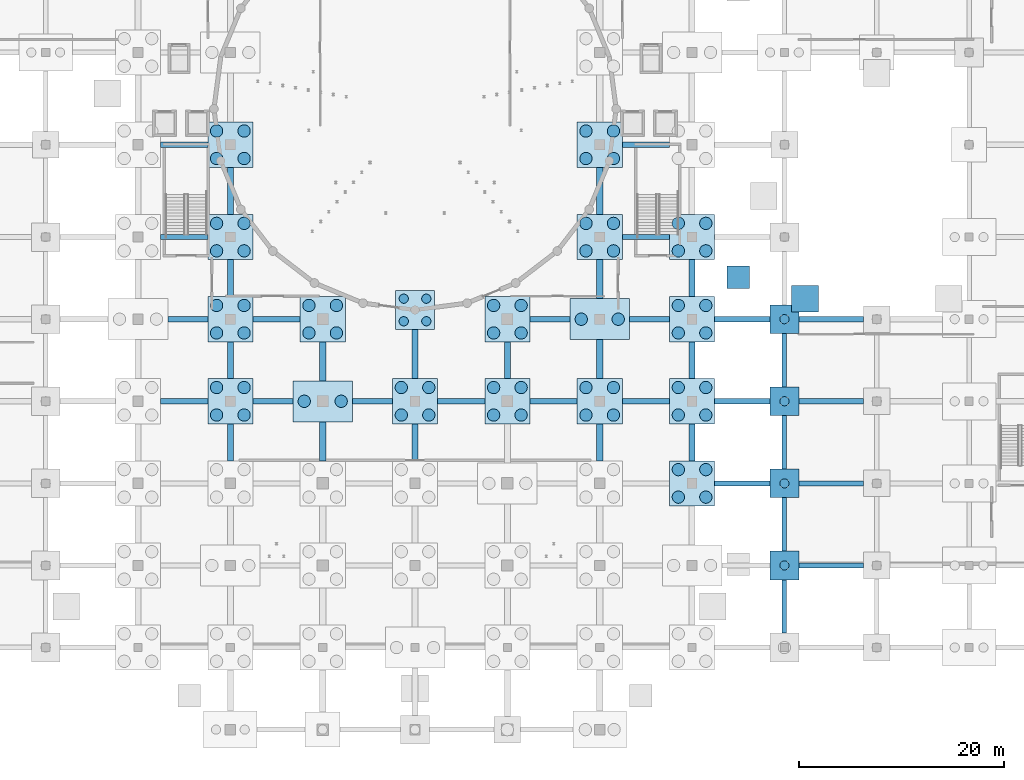
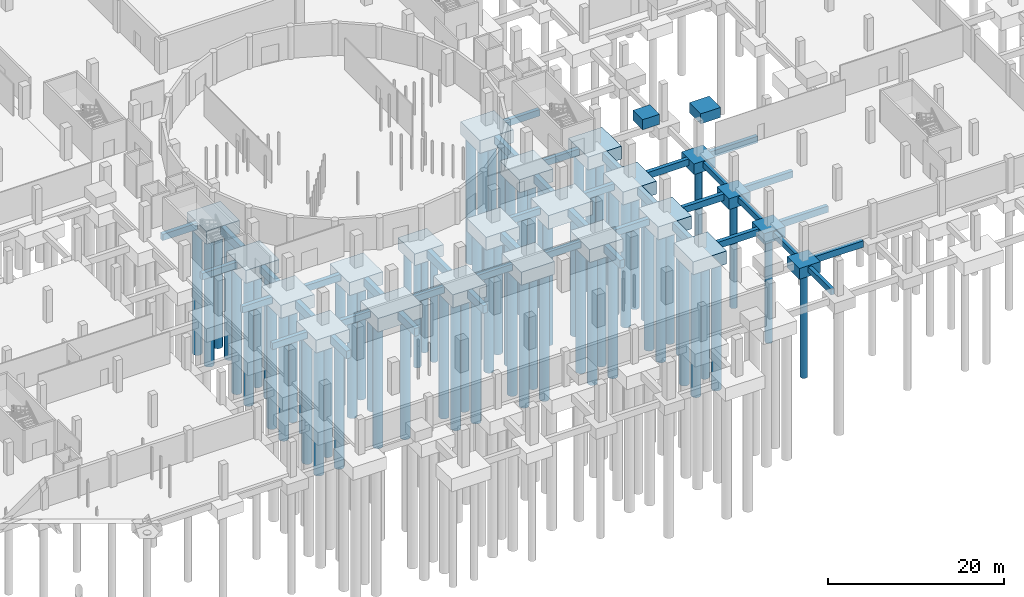
# One storey, part 4 of 40: 72 piles, 65 footings.
"""IFC4 building model written with IfcOpenShell, lengths in metres."""

from ifc_helpers import new_model, si_unit, direction, frame, origin, origin_2d, place, context, subcontext, project, spatial, rectangle, circle, extrude, material, layer, layer_set, material_profile, profile_set, type_object, element, save


model = new_model("IFC4")

# Units and contexts
model_context = context("Model", 3, precision=1e-05, world=origin(), true_north=direction((0.0, 1.0)))
body_context = subcontext(model_context, "Body", "Model", "MODEL_VIEW")
ifc_project = project(units=[si_unit("LENGTHUNIT", "METRE"), si_unit("AREAUNIT", "SQUARE_METRE"), si_unit("VOLUMEUNIT", "CUBIC_METRE"), si_unit("PLANEANGLEUNIT", "RADIAN"), si_unit("MASSUNIT", "GRAM", prefix="KILO")], contexts=[model_context])

# Site, building, storey
site_placement = place(None, origin())
site = spatial("IfcSite", under=ifc_project, at=site_placement, CompositionType="ELEMENT")
building_placement = place(site_placement, origin())
building = spatial("IfcBuilding", under=site, at=building_placement, Name="Marnock Terrace Opera House", CompositionType="ELEMENT")
storey_placement = place(building_placement, frame((0.0, 0.0, -4.800048828125)))
storey = spatial("IfcBuildingStorey", under=building, at=storey_placement, Name="B1", CompositionType="ELEMENT", Elevation=-4.800048828125)

# Footings
ifc_material = material(Name="Concrete N40 (f'c = 40 MPa)", Category="concrete")
ifc_layer_1 = layer(ifc_material, 1.5)
ifc_layer_set_1 = layer_set([ifc_layer_1], Name="Concrete N40 (f'c = 40 MPa)")
footing_type_1 = type_object("IfcFootingType", Name="FT-CAP-2800", PredefinedType="PILE_CAP", material=ifc_layer_set_1)
for number, where, z_axis, x_axis, name in (
    (1, (118.0, 16.0, -1.89990234375), (0.0, 0.0, 1.0), (1.0, 0.0, 0.0), "Pile cap FT-CAP-150"),
    (2, (118.0, 24.0, -1.89990234375), (0.0, 0.0, 1.0), (1.0, 0.0, 0.0), "Pile cap FT-CAP-151"),
    (3, (118.0, 32.0, -1.89990234375), (0.0, 0.0, 1.0), (1.0, 0.0, 0.0), "Pile cap FT-CAP-152"),
    (4, (118.0, 40.0, -1.89990234375), (0.0, 0.0, 1.0), (1.0, 0.0, 0.0), "Pile cap FT-CAP-153"),
):
    element("IfcFooting", number, at=place(storey_placement, frame(where, z_axis=z_axis, x_axis=x_axis)), inside=storey, type_object=footing_type_1, Name=name, PredefinedType="PILE_CAP", context=body_context, shape_type="SweptSolid", body=[
        extrude(rectangle(XDim=2.800048828125, YDim=2.800048828125, at=origin_2d()), origin(), (0.0, 0.0, 1.0), 1.5),
    ])
ifc_layer_2 = layer(ifc_material, 1.60009765625)
ifc_layer_set_2 = layer_set([ifc_layer_2], Name="Concrete N40 (f'c = 40 MPa)")
footing_type_2 = type_object("IfcFootingType", Name="FT-CAP-3800", PredefinedType="PILE_CAP", material=ifc_layer_set_2)
footing_1_placement = place(storey_placement, frame((82.0, 40.89990234375, -2.0), z_axis=(0.0, 0.0, 1.0), x_axis=(1.0, 0.0, 0.0)))
element("IfcFooting", 5, at=footing_1_placement, inside=storey, type_object=footing_type_2, Name="Pile cap FT-CAP-219", PredefinedType="PILE_CAP", context=body_context, shape_type="SweptSolid", body=[
    extrude(rectangle(XDim=3.800048828125, YDim=3.800048828125, at=origin_2d()), origin(), (0.0, 0.0, 1.0), 1.60009765625),
])
ifc_layer_3 = layer(ifc_material, 1.800048828125)
ifc_layer_set_3 = layer_set([ifc_layer_3], Name="Concrete N40 (f'c = 40 MPa)")
footing_type_3 = type_object("IfcFootingType", Name="FT-CAP-4400", PredefinedType="PILE_CAP", material=ifc_layer_set_3)
for number, where, z_axis, x_axis, name in (
    (6, (64.0, 32.0, -2.2001953125), (0.0, 0.0, 1.0), (1.0, 0.0, 0.0), "Pile cap FT-CAP-094"),
    (7, (64.0, 40.0, -2.2001953125), (0.0, 0.0, 1.0), (1.0, 0.0, 0.0), "Pile cap FT-CAP-095"),
    (8, (64.0, 48.0, -2.2001953125), (0.0, 0.0, 1.0), (1.0, 0.0, 0.0), "Pile cap FT-CAP-096"),
    (9, (64.0, 57.0, -2.2001953125), (0.0, 0.0, 1.0), (1.0, 0.0, 0.0), "Pile cap FT-CAP-097"),
    (10, (73.0, 40.0, -2.2001953125), (0.0, 0.0, 1.0), (1.0, 0.0, 0.0), "Pile cap FT-CAP-108"),
    (11, (82.0, 32.0, -2.2001953125), (0.0, 0.0, 1.0), (1.0, 0.0, 0.0), "Pile cap FT-CAP-114"),
    (12, (91.0, 32.0, -2.2001953125), (0.0, 0.0, 1.0), (1.0, 0.0, 0.0), "Pile cap FT-CAP-120"),
    (13, (91.0, 40.0, -2.2001953125), (0.0, 0.0, 1.0), (1.0, 0.0, 0.0), "Pile cap FT-CAP-121"),
    (14, (100.0, 32.0, -2.2001953125), (0.0, 0.0, 1.0), (1.0, 0.0, 0.0), "Pile cap FT-CAP-127"),
    (15, (100.0, 48.0, -2.2001953125), (0.0, 0.0, 1.0), (1.0, 0.0, 0.0), "Pile cap FT-CAP-129"),
    (16, (100.0, 57.0, -2.2001953125), (0.0, 0.0, 1.0), (1.0, 0.0, 0.0), "Pile cap FT-CAP-130"),
    (17, (109.0, 24.0, -2.2001953125), (0.0, 0.0, 1.0), (1.0, 0.0, 0.0), "Pile cap FT-CAP-138"),
    (18, (109.0, 32.0, -2.2001953125), (0.0, 0.0, 1.0), (1.0, 0.0, 0.0), "Pile cap FT-CAP-139"),
    (19, (109.0, 40.0, -2.2001953125), (0.0, 0.0, 1.0), (1.0, 0.0, 0.0), "Pile cap FT-CAP-140"),
    (20, (109.0, 48.0, -2.2001953125), (0.0, 0.0, 1.0), (1.0, 0.0, 0.0), "Pile cap FT-CAP-141"),
):
    element("IfcFooting", number, at=place(storey_placement, frame(where, z_axis=z_axis, x_axis=x_axis)), inside=storey, type_object=footing_type_3, Name=name, PredefinedType="PILE_CAP", context=body_context, shape_type="SweptSolid", body=[
        extrude(rectangle(XDim=4.39990234375, YDim=4.39990234375, at=origin_2d()), origin(), (0.0, 0.0, 1.0), 1.800048828125),
    ])
ifc_layer_4 = layer(ifc_material, 1.89990234375)
ifc_layer_set_4 = layer_set([ifc_layer_4], Name="Concrete N40 (f'c = 40 MPa)")
footing_type_4 = type_object("IfcFootingType", Name="FT-CAP-5800", PredefinedType="PILE_CAP", material=ifc_layer_set_4)
for number, where, z_axis, x_axis, name in (
    (21, (73.0, 32.0, -2.2998046875), (0.0, 0.0, 1.0), (1.0, 0.0, 0.0), "Pile cap FT-CAP-107"),
    (22, (100.0, 40.0, -2.2998046875), (0.0, 0.0, 1.0), (1.0, 0.0, 0.0), "Pile cap FT-CAP-128"),
):
    element("IfcFooting", number, at=place(storey_placement, frame(where, z_axis=z_axis, x_axis=x_axis)), inside=storey, type_object=footing_type_4, Name=name, PredefinedType="PILE_CAP", context=body_context, shape_type="SweptSolid", body=[
        extrude(rectangle(XDim=5.800048828125, YDim=4.0, at=origin_2d()), origin(), (0.0, 0.0, 1.0), 1.89990234375),
    ])
ifc_material_profile_1 = material_profile(ifc_material, rectangle(XDim=0.449951171875, YDim=0.800048828125, at=origin_2d()))
ifc_profile_set_1 = profile_set([ifc_material_profile_1], Name="Concrete N40 (f'c = 40 MPa)")
footing_type_5 = type_object("IfcFootingType", Name="FT-GB-450", PredefinedType="FOOTING_BEAM", material=ifc_profile_set_1)
for number, where, z_axis, x_axis, name in (
    (23, (118.0, 9.39990234375, -0.949951171875), (0.0, 1.0, 0.0), (-1.0, 0.0, 0.0), "Ground tie beam Y-130"),
    (24, (118.0, 17.39990234375, -0.949951171875), (0.0, 1.0, 0.0), (-1.0, 0.0, 0.0), "Ground tie beam Y-131"),
    (25, (118.0, 25.39990234375, -0.949951171875), (0.0, 1.0, 0.0), (-1.0, 0.0, 0.0), "Ground tie beam Y-132"),
    (26, (118.0, 33.39990234375, -0.949951171875), (0.0, 1.0, 0.0), (-1.0, 0.0, 0.0), "Ground tie beam Y-133"),
):
    element("IfcFooting", number, at=place(storey_placement, frame(where, z_axis=z_axis, x_axis=x_axis)), inside=storey, type_object=footing_type_5, Name=name, PredefinedType="FOOTING_BEAM", context=body_context, shape_type="SweptSolid", body=[
        extrude(rectangle(XDim=0.449951171875, YDim=0.800048828125, at=origin_2d()), origin(), (0.0, 0.0, 1.0), 5.2001953125),
    ])
ifc_material_profile_2 = material_profile(ifc_material, rectangle(XDim=0.5, YDim=0.89990234375, at=origin_2d()))
ifc_profile_set_2 = profile_set([ifc_material_profile_2], Name="Concrete N40 (f'c = 40 MPa)")
footing_type_6 = type_object("IfcFootingType", Name="FT-GB-500", PredefinedType="FOOTING_BEAM", material=ifc_profile_set_2)
footing_2_placement = place(storey_placement, frame((119.39990234375, 16.0, -0.849853515625), z_axis=(1.0, 0.0, 0.0), x_axis=(0.0, 1.0, 0.0)))
element("IfcFooting", 27, at=footing_2_placement, inside=storey, type_object=footing_type_6, Name="Ground tie beam X-228", PredefinedType="FOOTING_BEAM", context=body_context, shape_type="SweptSolid", body=[
    extrude(rectangle(XDim=0.5, YDim=0.89990234375, at=origin_2d()), origin(), (0.0, 0.0, 1.0), 6.300048828125),
])
footing_3_placement = place(storey_placement, frame((111.199951171875, 24.0, -0.849853515625), z_axis=(1.0, 0.0, 0.0), x_axis=(0.0, 1.0, 0.0)))
element("IfcFooting", 28, at=footing_3_placement, inside=storey, type_object=footing_type_6, Name="Ground tie beam X-245", PredefinedType="FOOTING_BEAM", context=body_context, shape_type="SweptSolid", body=[
    extrude(rectangle(XDim=0.5, YDim=0.89990234375, at=origin_2d()), origin(), (0.0, 0.0, 1.0), 5.400146484375),
])
footing_4_placement = place(storey_placement, frame((119.39990234375, 24.0, -0.849853515625), z_axis=(1.0, 0.0, 0.0), x_axis=(0.0, 1.0, 0.0)))
element("IfcFooting", 29, at=footing_4_placement, inside=storey, type_object=footing_type_6, Name="Ground tie beam X-246", PredefinedType="FOOTING_BEAM", context=body_context, shape_type="SweptSolid", body=[
    extrude(rectangle(XDim=0.5, YDim=0.89990234375, at=origin_2d()), origin(), (0.0, 0.0, 1.0), 6.300048828125),
])
footing_5_placement = place(storey_placement, frame((57.199951171875, 32.0, -0.849853515625), z_axis=(1.0, 0.0, 0.0), x_axis=(0.0, 1.0, 0.0)))
element("IfcFooting", 30, at=footing_5_placement, inside=storey, type_object=footing_type_6, Name="Ground tie beam X-257", PredefinedType="FOOTING_BEAM", context=body_context, shape_type="SweptSolid", body=[
    extrude(rectangle(XDim=0.5, YDim=0.89990234375, at=origin_2d()), origin(), (0.0, 0.0, 1.0), 4.60009765625),
])
for number, where, z_axis, x_axis, name in (
    (31, (66.199951171875, 32.0, -0.849853515625), (1.0, 0.0, 0.0), (0.0, 1.0, 0.0), "Ground tie beam X-258"),
    (32, (75.89990234375, 32.0, -0.849853515625), (1.0, 0.0, 0.0), (0.0, 1.0, 0.0), "Ground tie beam X-259"),
):
    element("IfcFooting", number, at=place(storey_placement, frame(where, z_axis=z_axis, x_axis=x_axis)), inside=storey, type_object=footing_type_6, Name=name, PredefinedType="FOOTING_BEAM", context=body_context, shape_type="SweptSolid", body=[
        extrude(rectangle(XDim=0.5, YDim=0.89990234375, at=origin_2d()), origin(), (0.0, 0.0, 1.0), 3.900146484375),
    ])
for number, where, z_axis, x_axis, name in (
    (33, (84.199951171875, 32.0, -0.849853515625), (1.0, 0.0, 0.0), (0.0, 1.0, 0.0), "Ground tie beam X-260"),
    (34, (93.199951171875, 32.0, -0.849853515625), (1.0, 0.0, 0.0), (0.0, 1.0, 0.0), "Ground tie beam X-261"),
    (35, (102.199951171875, 32.0, -0.849853515625), (1.0, 0.0, 0.0), (0.0, 1.0, 0.0), "Ground tie beam X-262"),
):
    element("IfcFooting", number, at=place(storey_placement, frame(where, z_axis=z_axis, x_axis=x_axis)), inside=storey, type_object=footing_type_6, Name=name, PredefinedType="FOOTING_BEAM", context=body_context, shape_type="SweptSolid", body=[
        extrude(rectangle(XDim=0.5, YDim=0.89990234375, at=origin_2d()), origin(), (0.0, 0.0, 1.0), 4.60009765625),
    ])
footing_6_placement = place(storey_placement, frame((111.199951171875, 32.0, -0.849853515625), z_axis=(1.0, 0.0, 0.0), x_axis=(0.0, 1.0, 0.0)))
element("IfcFooting", 36, at=footing_6_placement, inside=storey, type_object=footing_type_6, Name="Ground tie beam X-263", PredefinedType="FOOTING_BEAM", context=body_context, shape_type="SweptSolid", body=[
    extrude(rectangle(XDim=0.5, YDim=0.89990234375, at=origin_2d()), origin(), (0.0, 0.0, 1.0), 5.400146484375),
])
footing_7_placement = place(storey_placement, frame((119.39990234375, 32.0, -0.849853515625), z_axis=(1.0, 0.0, 0.0), x_axis=(0.0, 1.0, 0.0)))
element("IfcFooting", 37, at=footing_7_placement, inside=storey, type_object=footing_type_6, Name="Ground tie beam X-264", PredefinedType="FOOTING_BEAM", context=body_context, shape_type="SweptSolid", body=[
    extrude(rectangle(XDim=0.5, YDim=0.89990234375, at=origin_2d()), origin(), (0.0, 0.0, 1.0), 6.300048828125),
])
footing_8_placement = place(storey_placement, frame((57.89990234375, 40.0, -0.849853515625), z_axis=(1.0, 0.0, 0.0), x_axis=(0.0, 1.0, 0.0)))
element("IfcFooting", 38, at=footing_8_placement, inside=storey, type_object=footing_type_6, Name="Ground tie beam X-275", PredefinedType="FOOTING_BEAM", context=body_context, shape_type="SweptSolid", body=[
    extrude(rectangle(XDim=0.5, YDim=0.89990234375, at=origin_2d()), origin(), (0.0, 0.0, 1.0), 3.900146484375),
])
footing_9_placement = place(storey_placement, frame((66.199951171875, 40.0, -0.849853515625), z_axis=(1.0, 0.0, 0.0), x_axis=(0.0, 1.0, 0.0)))
element("IfcFooting", 39, at=footing_9_placement, inside=storey, type_object=footing_type_6, Name="Ground tie beam X-276", PredefinedType="FOOTING_BEAM", context=body_context, shape_type="SweptSolid", body=[
    extrude(rectangle(XDim=0.5, YDim=0.89990234375, at=origin_2d()), origin(), (0.0, 0.0, 1.0), 4.60009765625),
])
for number, where, z_axis, x_axis, name in (
    (40, (93.199951171875, 40.0, -0.849853515625), (1.0, 0.0, 0.0), (0.0, 1.0, 0.0), "Ground tie beam X-277"),
    (41, (102.89990234375, 40.0, -0.849853515625), (1.0, 0.0, 0.0), (0.0, 1.0, 0.0), "Ground tie beam X-278"),
):
    element("IfcFooting", number, at=place(storey_placement, frame(where, z_axis=z_axis, x_axis=x_axis)), inside=storey, type_object=footing_type_6, Name=name, PredefinedType="FOOTING_BEAM", context=body_context, shape_type="SweptSolid", body=[
        extrude(rectangle(XDim=0.5, YDim=0.89990234375, at=origin_2d()), origin(), (0.0, 0.0, 1.0), 3.900146484375),
    ])
footing_10_placement = place(storey_placement, frame((111.199951171875, 40.0, -0.849853515625), z_axis=(1.0, 0.0, 0.0), x_axis=(0.0, 1.0, 0.0)))
element("IfcFooting", 42, at=footing_10_placement, inside=storey, type_object=footing_type_6, Name="Ground tie beam X-279", PredefinedType="FOOTING_BEAM", context=body_context, shape_type="SweptSolid", body=[
    extrude(rectangle(XDim=0.5, YDim=0.89990234375, at=origin_2d()), origin(), (0.0, 0.0, 1.0), 5.400146484375),
])
footing_11_placement = place(storey_placement, frame((119.39990234375, 40.0, -0.849853515625), z_axis=(1.0, 0.0, 0.0), x_axis=(0.0, 1.0, 0.0)))
element("IfcFooting", 43, at=footing_11_placement, inside=storey, type_object=footing_type_6, Name="Ground tie beam X-280", PredefinedType="FOOTING_BEAM", context=body_context, shape_type="SweptSolid", body=[
    extrude(rectangle(XDim=0.5, YDim=0.89990234375, at=origin_2d()), origin(), (0.0, 0.0, 1.0), 6.300048828125),
])
for number, where, z_axis, x_axis, name in (
    (44, (57.199951171875, 48.0, -0.849853515625), (1.0, 0.0, 0.0), (0.0, 1.0, 0.0), "Ground tie beam X-291"),
    (45, (102.199951171875, 48.0, -0.849853515625), (1.0, 0.0, 0.0), (0.0, 1.0, 0.0), "Ground tie beam X-292"),
    (46, (57.199951171875, 57.0, -0.849853515625), (1.0, 0.0, 0.0), (0.0, 1.0, 0.0), "Ground tie beam X-303"),
    (47, (102.199951171875, 57.0, -0.849853515625), (1.0, 0.0, 0.0), (0.0, 1.0, 0.0), "Ground tie beam X-304"),
):
    element("IfcFooting", number, at=place(storey_placement, frame(where, z_axis=z_axis, x_axis=x_axis)), inside=storey, type_object=footing_type_6, Name=name, PredefinedType="FOOTING_BEAM", context=body_context, shape_type="SweptSolid", body=[
        extrude(rectangle(XDim=0.5, YDim=0.89990234375, at=origin_2d()), origin(), (0.0, 0.0, 1.0), 4.60009765625),
    ])
ifc_material_profile_3 = material_profile(ifc_material, rectangle(XDim=0.60009765625, YDim=1.10009765625, at=origin_2d()))
ifc_profile_set_3 = profile_set([ifc_material_profile_3], Name="Concrete N40 (f'c = 40 MPa)")
footing_type_7 = type_object("IfcFootingType", Name="FT-GB-600", PredefinedType="FOOTING_BEAM", material=ifc_profile_set_3)
for number, where, z_axis, x_axis, name in (
    (48, (64.0, 26.199951171875, -0.949951171875), (0.0, 1.0, 0.0), (-1.0, 0.0, 0.0), "Ground tie beam Y-84"),
    (49, (64.0, 34.199951171875, -0.949951171875), (0.0, 1.0, 0.0), (-1.0, 0.0, 0.0), "Ground tie beam Y-85"),
    (50, (64.0, 42.199951171875, -0.949951171875), (0.0, 1.0, 0.0), (-1.0, 0.0, 0.0), "Ground tie beam Y-86"),
):
    element("IfcFooting", number, at=place(storey_placement, frame(where, z_axis=z_axis, x_axis=x_axis)), inside=storey, type_object=footing_type_7, Name=name, PredefinedType="FOOTING_BEAM", context=body_context, shape_type="SweptSolid", body=[
        extrude(rectangle(XDim=0.60009765625, YDim=1.10009765625, at=origin_2d()), origin(), (0.0, 0.0, 1.0), 3.60009765625),
    ])
footing_12_placement = place(storey_placement, frame((64.0, 50.199951171875, -0.949951171875), z_axis=(0.0, 1.0, 0.0), x_axis=(-1.0, 0.0, 0.0)))
element("IfcFooting", 51, at=footing_12_placement, inside=storey, type_object=footing_type_7, Name="Ground tie beam Y-87", PredefinedType="FOOTING_BEAM", context=body_context, shape_type="SweptSolid", body=[
    extrude(rectangle(XDim=0.60009765625, YDim=1.10009765625, at=origin_2d()), origin(), (0.0, 0.0, 1.0), 4.60009765625),
])
for number, where, z_axis, x_axis, name in (
    (52, (73.0, 26.199951171875, -0.949951171875), (0.0, 1.0, 0.0), (-1.0, 0.0, 0.0), "Ground tie beam Y-95"),
    (53, (73.0, 34.0, -0.949951171875), (0.0, 1.0, 0.0), (-1.0, 0.0, 0.0), "Ground tie beam Y-96"),
):
    element("IfcFooting", number, at=place(storey_placement, frame(where, z_axis=z_axis, x_axis=x_axis)), inside=storey, type_object=footing_type_7, Name=name, PredefinedType="FOOTING_BEAM", context=body_context, shape_type="SweptSolid", body=[
        extrude(rectangle(XDim=0.60009765625, YDim=1.10009765625, at=origin_2d()), origin(), (0.0, 0.0, 1.0), 3.800048828125),
    ])
footing_13_placement = place(storey_placement, frame((82.0, 26.199951171875, -0.949951171875), z_axis=(0.0, 1.0, 0.0), x_axis=(-1.0, 0.0, 0.0)))
element("IfcFooting", 54, at=footing_13_placement, inside=storey, type_object=footing_type_7, Name="Ground tie beam Y-100", PredefinedType="FOOTING_BEAM", context=body_context, shape_type="SweptSolid", body=[
    extrude(rectangle(XDim=0.60009765625, YDim=1.10009765625, at=origin_2d()), origin(), (0.0, 0.0, 1.0), 3.60009765625),
])
footing_14_placement = place(storey_placement, frame((82.0, 34.199951171875, -0.949951171875), z_axis=(0.0, 1.0, 0.0), x_axis=(-1.0, 0.0, 0.0)))
element("IfcFooting", 55, at=footing_14_placement, inside=storey, type_object=footing_type_7, Name="Ground tie beam Y-101", PredefinedType="FOOTING_BEAM", context=body_context, shape_type="SweptSolid", body=[
    extrude(rectangle(XDim=0.60009765625, YDim=1.10009765625, at=origin_2d()), origin(), (0.0, 0.0, 1.0), 4.800048828125),
])
for number, where, z_axis, x_axis, name in (
    (56, (91.0, 34.199951171875, -0.949951171875), (0.0, 1.0, 0.0), (-1.0, 0.0, 0.0), "Ground tie beam Y-106"),
    (57, (100.0, 26.199951171875, -0.949951171875), (0.0, 1.0, 0.0), (-1.0, 0.0, 0.0), "Ground tie beam Y-110"),
):
    element("IfcFooting", number, at=place(storey_placement, frame(where, z_axis=z_axis, x_axis=x_axis)), inside=storey, type_object=footing_type_7, Name=name, PredefinedType="FOOTING_BEAM", context=body_context, shape_type="SweptSolid", body=[
        extrude(rectangle(XDim=0.60009765625, YDim=1.10009765625, at=origin_2d()), origin(), (0.0, 0.0, 1.0), 3.60009765625),
    ])
for number, where, z_axis, x_axis, name in (
    (58, (100.0, 34.199951171875, -0.949951171875), (0.0, 1.0, 0.0), (-1.0, 0.0, 0.0), "Ground tie beam Y-111"),
    (59, (100.0, 42.0, -0.949951171875), (0.0, 1.0, 0.0), (-1.0, 0.0, 0.0), "Ground tie beam Y-112"),
):
    element("IfcFooting", number, at=place(storey_placement, frame(where, z_axis=z_axis, x_axis=x_axis)), inside=storey, type_object=footing_type_7, Name=name, PredefinedType="FOOTING_BEAM", context=body_context, shape_type="SweptSolid", body=[
        extrude(rectangle(XDim=0.60009765625, YDim=1.10009765625, at=origin_2d()), origin(), (0.0, 0.0, 1.0), 3.800048828125),
    ])
footing_15_placement = place(storey_placement, frame((100.0, 50.199951171875, -0.949951171875), z_axis=(0.0, 1.0, 0.0), x_axis=(-1.0, 0.0, 0.0)))
element("IfcFooting", 60, at=footing_15_placement, inside=storey, type_object=footing_type_7, Name="Ground tie beam Y-113", PredefinedType="FOOTING_BEAM", context=body_context, shape_type="SweptSolid", body=[
    extrude(rectangle(XDim=0.60009765625, YDim=1.10009765625, at=origin_2d()), origin(), (0.0, 0.0, 1.0), 4.60009765625),
])
for number, where, z_axis, x_axis, name in (
    (61, (109.0, 26.199951171875, -0.949951171875), (0.0, 1.0, 0.0), (-1.0, 0.0, 0.0), "Ground tie beam Y-120"),
    (62, (109.0, 34.199951171875, -0.949951171875), (0.0, 1.0, 0.0), (-1.0, 0.0, 0.0), "Ground tie beam Y-121"),
    (63, (109.0, 42.199951171875, -0.949951171875), (0.0, 1.0, 0.0), (-1.0, 0.0, 0.0), "Ground tie beam Y-122"),
):
    element("IfcFooting", number, at=place(storey_placement, frame(where, z_axis=z_axis, x_axis=x_axis)), inside=storey, type_object=footing_type_7, Name=name, PredefinedType="FOOTING_BEAM", context=body_context, shape_type="SweptSolid", body=[
        extrude(rectangle(XDim=0.60009765625, YDim=1.10009765625, at=origin_2d()), origin(), (0.0, 0.0, 1.0), 3.60009765625),
    ])
ifc_layer_5 = layer(ifc_material, 1.39990234375)
ifc_layer_set_5 = layer_set([ifc_layer_5], Name="Concrete N40 (f'c = 40 MPa)")
footing_type_8 = type_object("IfcFootingType", Name="FT-PAD-2200", PredefinedType="PAD_FOOTING", material=ifc_layer_set_5)
footing_16_placement = place(storey_placement, frame((113.5, 44.10009765625, 3.16015625), z_axis=(0.0, 0.0, 1.0), x_axis=(1.0, 0.0, 0.0)))
element("IfcFooting", 64, at=footing_16_placement, inside=storey, type_object=footing_type_8, Name="Grade ramp foundation RMP-PASS-02", PredefinedType="PAD_FOOTING", context=body_context, shape_type="SweptSolid", body=[
    extrude(rectangle(XDim=2.199951171875, YDim=2.199951171875, at=origin_2d()), origin(), (0.0, 0.0, 1.0), 1.39990234375),
])
ifc_layer_6 = layer(ifc_material, 1.39990234375)
ifc_layer_set_6 = layer_set([ifc_layer_6], Name="Concrete N40 (f'c = 40 MPa)")
footing_type_9 = type_object("IfcFootingType", Name="FT-PAD-2600", PredefinedType="PAD_FOOTING", material=ifc_layer_set_6)
footing_17_placement = place(storey_placement, frame((120.0, 42.0, 3.16015625), z_axis=(0.0, 0.0, 1.0), x_axis=(1.0, 0.0, 0.0)))
element("IfcFooting", 65, at=footing_17_placement, inside=storey, type_object=footing_type_9, Name="Upper-terrace grade pad footing FT-APR-CE1", PredefinedType="PAD_FOOTING", context=body_context, shape_type="SweptSolid", body=[
    extrude(rectangle(XDim=2.60009765625, YDim=2.60009765625, at=origin_2d()), origin(), (0.0, 0.0, 1.0), 1.39990234375),
])

# Piles
ifc_material_profile_4 = material_profile(ifc_material, circle(Radius=0.6005859375, at=origin_2d()))
ifc_profile_set_4 = profile_set([ifc_material_profile_4], Name="Concrete N40 (f'c = 40 MPa)")
pile_type_1 = type_object("IfcPileType", Name="PILE-CFA-1200", PredefinedType="BORED", material=ifc_profile_set_4)
for number, where, z_axis, x_axis, name in (
    (66, (62.659912109375, 30.659912109375, -2.099853515625), (0.0, 0.0, -1.0), (1.0, 0.0, 0.0), "Bored CFA pile 94.1"),
    (67, (65.340087890625, 30.659912109375, -2.099853515625), (0.0, 0.0, -1.0), (1.0, 0.0, 0.0), "Bored CFA pile 94.2"),
    (68, (62.659912109375, 33.340087890625, -2.099853515625), (0.0, 0.0, -1.0), (1.0, 0.0, 0.0), "Bored CFA pile 94.3"),
    (69, (65.340087890625, 33.340087890625, -2.099853515625), (0.0, 0.0, -1.0), (1.0, 0.0, 0.0), "Bored CFA pile 94.4"),
    (70, (62.659912109375, 38.659912109375, -2.099853515625), (0.0, 0.0, -1.0), (1.0, 0.0, 0.0), "Bored CFA pile 95.1"),
    (71, (65.340087890625, 38.659912109375, -2.099853515625), (0.0, 0.0, -1.0), (1.0, 0.0, 0.0), "Bored CFA pile 95.2"),
    (72, (62.659912109375, 41.340087890625, -2.099853515625), (0.0, 0.0, -1.0), (1.0, 0.0, 0.0), "Bored CFA pile 95.3"),
    (73, (65.340087890625, 41.340087890625, -2.099853515625), (0.0, 0.0, -1.0), (1.0, 0.0, 0.0), "Bored CFA pile 95.4"),
    (74, (62.659912109375, 46.659912109375, -2.099853515625), (0.0, 0.0, -1.0), (1.0, 0.0, 0.0), "Bored CFA pile 96.1"),
    (75, (65.340087890625, 46.659912109375, -2.099853515625), (0.0, 0.0, -1.0), (1.0, 0.0, 0.0), "Bored CFA pile 96.2"),
    (76, (62.659912109375, 49.340087890625, -2.099853515625), (0.0, 0.0, -1.0), (1.0, 0.0, 0.0), "Bored CFA pile 96.3"),
    (77, (65.340087890625, 49.340087890625, -2.099853515625), (0.0, 0.0, -1.0), (1.0, 0.0, 0.0), "Bored CFA pile 96.4"),
    (78, (62.659912109375, 55.659912109375, -2.099853515625), (0.0, 0.0, -1.0), (1.0, 0.0, 0.0), "Bored CFA pile 97.1"),
    (79, (65.340087890625, 55.659912109375, -2.099853515625), (0.0, 0.0, -1.0), (1.0, 0.0, 0.0), "Bored CFA pile 97.2"),
    (80, (62.659912109375, 58.340087890625, -2.099853515625), (0.0, 0.0, -1.0), (1.0, 0.0, 0.0), "Bored CFA pile 97.3"),
    (81, (65.340087890625, 58.340087890625, -2.099853515625), (0.0, 0.0, -1.0), (1.0, 0.0, 0.0), "Bored CFA pile 97.4"),
):
    element("IfcPile", number, at=place(storey_placement, frame(where, z_axis=z_axis, x_axis=x_axis)), inside=storey, type_object=pile_type_1, Name=name, PredefinedType="BORED", context=body_context, shape_type="SweptSolid", body=[
        extrude(circle(Radius=0.6005859375, at=origin_2d()), origin(), (0.0, 0.0, 1.0), 17.60009765625),
    ])
for number, where, z_axis, x_axis, name in (
    (82, (71.199951171875, 32.0, -2.199951171875), (0.0, 0.0, -1.0), (1.0, 0.0, 0.0), "Bored CFA pile 107.1"),
    (83, (74.800048828125, 32.0, -2.199951171875), (0.0, 0.0, -1.0), (1.0, 0.0, 0.0), "Bored CFA pile 107.2"),
):
    element("IfcPile", number, at=place(storey_placement, frame(where, z_axis=z_axis, x_axis=x_axis)), inside=storey, type_object=pile_type_1, Name=name, PredefinedType="BORED", context=body_context, shape_type="SweptSolid", body=[
        extrude(circle(Radius=0.6005859375, at=origin_2d()), origin(), (0.0, 0.0, 1.0), 17.5),
    ])
for number, where, z_axis, x_axis, name in (
    (84, (71.659912109375, 38.659912109375, -2.099853515625), (0.0, 0.0, -1.0), (1.0, 0.0, 0.0), "Bored CFA pile 108.1"),
    (85, (74.340087890625, 38.659912109375, -2.099853515625), (0.0, 0.0, -1.0), (1.0, 0.0, 0.0), "Bored CFA pile 108.2"),
    (86, (71.659912109375, 41.340087890625, -2.099853515625), (0.0, 0.0, -1.0), (1.0, 0.0, 0.0), "Bored CFA pile 108.3"),
    (87, (74.340087890625, 41.340087890625, -2.099853515625), (0.0, 0.0, -1.0), (1.0, 0.0, 0.0), "Bored CFA pile 108.4"),
    (88, (80.659912109375, 30.659912109375, -2.099853515625), (0.0, 0.0, -1.0), (1.0, 0.0, 0.0), "Bored CFA pile 114.1"),
    (89, (83.340087890625, 30.659912109375, -2.099853515625), (0.0, 0.0, -1.0), (1.0, 0.0, 0.0), "Bored CFA pile 114.2"),
    (90, (80.659912109375, 33.340087890625, -2.099853515625), (0.0, 0.0, -1.0), (1.0, 0.0, 0.0), "Bored CFA pile 114.3"),
    (91, (83.340087890625, 33.340087890625, -2.099853515625), (0.0, 0.0, -1.0), (1.0, 0.0, 0.0), "Bored CFA pile 114.4"),
    (92, (89.659912109375, 30.659912109375, -2.099853515625), (0.0, 0.0, -1.0), (1.0, 0.0, 0.0), "Bored CFA pile 120.1"),
    (93, (92.340087890625, 30.659912109375, -2.099853515625), (0.0, 0.0, -1.0), (1.0, 0.0, 0.0), "Bored CFA pile 120.2"),
    (94, (89.659912109375, 33.340087890625, -2.099853515625), (0.0, 0.0, -1.0), (1.0, 0.0, 0.0), "Bored CFA pile 120.3"),
    (95, (92.340087890625, 33.340087890625, -2.099853515625), (0.0, 0.0, -1.0), (1.0, 0.0, 0.0), "Bored CFA pile 120.4"),
    (96, (89.659912109375, 38.659912109375, -2.099853515625), (0.0, 0.0, -1.0), (1.0, 0.0, 0.0), "Bored CFA pile 121.1"),
    (97, (92.340087890625, 38.659912109375, -2.099853515625), (0.0, 0.0, -1.0), (1.0, 0.0, 0.0), "Bored CFA pile 121.2"),
    (98, (89.659912109375, 41.340087890625, -2.099853515625), (0.0, 0.0, -1.0), (1.0, 0.0, 0.0), "Bored CFA pile 121.3"),
    (99, (92.340087890625, 41.340087890625, -2.099853515625), (0.0, 0.0, -1.0), (1.0, 0.0, 0.0), "Bored CFA pile 121.4"),
    (100, (98.659912109375, 30.659912109375, -2.099853515625), (0.0, 0.0, -1.0), (1.0, 0.0, 0.0), "Bored CFA pile 127.1"),
    (101, (101.340087890625, 30.659912109375, -2.099853515625), (0.0, 0.0, -1.0), (1.0, 0.0, 0.0), "Bored CFA pile 127.2"),
    (102, (98.659912109375, 33.340087890625, -2.099853515625), (0.0, 0.0, -1.0), (1.0, 0.0, 0.0), "Bored CFA pile 127.3"),
    (103, (101.340087890625, 33.340087890625, -2.099853515625), (0.0, 0.0, -1.0), (1.0, 0.0, 0.0), "Bored CFA pile 127.4"),
):
    element("IfcPile", number, at=place(storey_placement, frame(where, z_axis=z_axis, x_axis=x_axis)), inside=storey, type_object=pile_type_1, Name=name, PredefinedType="BORED", context=body_context, shape_type="SweptSolid", body=[
        extrude(circle(Radius=0.6005859375, at=origin_2d()), origin(), (0.0, 0.0, 1.0), 17.60009765625),
    ])
for number, where, z_axis, x_axis, name in (
    (104, (98.199951171875, 40.0, -2.199951171875), (0.0, 0.0, -1.0), (1.0, 0.0, 0.0), "Bored CFA pile 128.1"),
    (105, (101.800048828125, 40.0, -2.199951171875), (0.0, 0.0, -1.0), (1.0, 0.0, 0.0), "Bored CFA pile 128.2"),
):
    element("IfcPile", number, at=place(storey_placement, frame(where, z_axis=z_axis, x_axis=x_axis)), inside=storey, type_object=pile_type_1, Name=name, PredefinedType="BORED", context=body_context, shape_type="SweptSolid", body=[
        extrude(circle(Radius=0.6005859375, at=origin_2d()), origin(), (0.0, 0.0, 1.0), 17.5),
    ])
for number, where, z_axis, x_axis, name in (
    (106, (98.659912109375, 46.659912109375, -2.099853515625), (0.0, 0.0, -1.0), (1.0, 0.0, 0.0), "Bored CFA pile 129.1"),
    (107, (101.340087890625, 46.659912109375, -2.099853515625), (0.0, 0.0, -1.0), (1.0, 0.0, 0.0), "Bored CFA pile 129.2"),
    (108, (98.659912109375, 49.340087890625, -2.099853515625), (0.0, 0.0, -1.0), (1.0, 0.0, 0.0), "Bored CFA pile 129.3"),
    (109, (101.340087890625, 49.340087890625, -2.099853515625), (0.0, 0.0, -1.0), (1.0, 0.0, 0.0), "Bored CFA pile 129.4"),
    (110, (98.659912109375, 55.659912109375, -2.099853515625), (0.0, 0.0, -1.0), (1.0, 0.0, 0.0), "Bored CFA pile 130.1"),
    (111, (101.340087890625, 55.659912109375, -2.099853515625), (0.0, 0.0, -1.0), (1.0, 0.0, 0.0), "Bored CFA pile 130.2"),
    (112, (98.659912109375, 58.340087890625, -2.099853515625), (0.0, 0.0, -1.0), (1.0, 0.0, 0.0), "Bored CFA pile 130.3"),
    (113, (101.340087890625, 58.340087890625, -2.099853515625), (0.0, 0.0, -1.0), (1.0, 0.0, 0.0), "Bored CFA pile 130.4"),
    (114, (107.659912109375, 22.659912109375, -2.099853515625), (0.0, 0.0, -1.0), (1.0, 0.0, 0.0), "Bored CFA pile 138.1"),
    (115, (110.340087890625, 22.659912109375, -2.099853515625), (0.0, 0.0, -1.0), (1.0, 0.0, 0.0), "Bored CFA pile 138.2"),
    (116, (107.659912109375, 25.340087890625, -2.099853515625), (0.0, 0.0, -1.0), (1.0, 0.0, 0.0), "Bored CFA pile 138.3"),
    (117, (110.340087890625, 25.340087890625, -2.099853515625), (0.0, 0.0, -1.0), (1.0, 0.0, 0.0), "Bored CFA pile 138.4"),
    (118, (107.659912109375, 30.659912109375, -2.099853515625), (0.0, 0.0, -1.0), (1.0, 0.0, 0.0), "Bored CFA pile 139.1"),
    (119, (110.340087890625, 30.659912109375, -2.099853515625), (0.0, 0.0, -1.0), (1.0, 0.0, 0.0), "Bored CFA pile 139.2"),
    (120, (107.659912109375, 33.340087890625, -2.099853515625), (0.0, 0.0, -1.0), (1.0, 0.0, 0.0), "Bored CFA pile 139.3"),
    (121, (110.340087890625, 33.340087890625, -2.099853515625), (0.0, 0.0, -1.0), (1.0, 0.0, 0.0), "Bored CFA pile 139.4"),
    (122, (107.659912109375, 38.659912109375, -2.099853515625), (0.0, 0.0, -1.0), (1.0, 0.0, 0.0), "Bored CFA pile 140.1"),
    (123, (110.340087890625, 38.659912109375, -2.099853515625), (0.0, 0.0, -1.0), (1.0, 0.0, 0.0), "Bored CFA pile 140.2"),
    (124, (107.659912109375, 41.340087890625, -2.099853515625), (0.0, 0.0, -1.0), (1.0, 0.0, 0.0), "Bored CFA pile 140.3"),
    (125, (110.340087890625, 41.340087890625, -2.099853515625), (0.0, 0.0, -1.0), (1.0, 0.0, 0.0), "Bored CFA pile 140.4"),
    (126, (107.659912109375, 46.659912109375, -2.099853515625), (0.0, 0.0, -1.0), (1.0, 0.0, 0.0), "Bored CFA pile 141.1"),
    (127, (110.340087890625, 46.659912109375, -2.099853515625), (0.0, 0.0, -1.0), (1.0, 0.0, 0.0), "Bored CFA pile 141.2"),
    (128, (107.659912109375, 49.340087890625, -2.099853515625), (0.0, 0.0, -1.0), (1.0, 0.0, 0.0), "Bored CFA pile 141.3"),
    (129, (110.340087890625, 49.340087890625, -2.099853515625), (0.0, 0.0, -1.0), (1.0, 0.0, 0.0), "Bored CFA pile 141.4"),
):
    element("IfcPile", number, at=place(storey_placement, frame(where, z_axis=z_axis, x_axis=x_axis)), inside=storey, type_object=pile_type_1, Name=name, PredefinedType="BORED", context=body_context, shape_type="SweptSolid", body=[
        extrude(circle(Radius=0.6005859375, at=origin_2d()), origin(), (0.0, 0.0, 1.0), 17.60009765625),
    ])
ifc_material_profile_5 = material_profile(ifc_material, circle(Radius=0.449951171875, at=origin_2d()))
ifc_profile_set_5 = profile_set([ifc_material_profile_5], Name="Concrete N40 (f'c = 40 MPa)")
pile_type_2 = type_object("IfcPileType", Name="PILE-CFA-900", PredefinedType="BORED", material=ifc_profile_set_5)
for number, where, z_axis, x_axis, name in (
    (130, (118.0, 16.0, -1.800048828125), (0.0, 0.0, -1.0), (1.0, 0.0, 0.0), "Bored CFA pile 150.1"),
    (131, (118.0, 24.0, -1.800048828125), (0.0, 0.0, -1.0), (1.0, 0.0, 0.0), "Bored CFA pile 151.1"),
    (132, (118.0, 32.0, -1.800048828125), (0.0, 0.0, -1.0), (1.0, 0.0, 0.0), "Bored CFA pile 152.1"),
    (133, (118.0, 40.0, -1.800048828125), (0.0, 0.0, -1.0), (1.0, 0.0, 0.0), "Bored CFA pile 153.1"),
):
    element("IfcPile", number, at=place(storey_placement, frame(where, z_axis=z_axis, x_axis=x_axis)), inside=storey, type_object=pile_type_2, Name=name, PredefinedType="BORED", context=body_context, shape_type="SweptSolid", body=[
        extrude(circle(Radius=0.449951171875, at=origin_2d()), origin(), (0.0, 0.0, 1.0), 14.89990234375),
    ])
for number, where, z_axis, x_axis, name in (
    (134, (80.89990234375, 39.800048828125, -1.89990234375), (0.0, 0.0, -1.0), (1.0, 0.0, 0.0), "Bored CFA pile 219.1"),
    (135, (83.10009765625, 39.800048828125, -1.89990234375), (0.0, 0.0, -1.0), (1.0, 0.0, 0.0), "Bored CFA pile 219.2"),
    (136, (80.89990234375, 42.0, -1.89990234375), (0.0, 0.0, -1.0), (1.0, 0.0, 0.0), "Bored CFA pile 219.3"),
    (137, (83.10009765625, 42.0, -1.89990234375), (0.0, 0.0, -1.0), (1.0, 0.0, 0.0), "Bored CFA pile 219.4"),
):
    element("IfcPile", number, at=place(storey_placement, frame(where, z_axis=z_axis, x_axis=x_axis)), inside=storey, type_object=pile_type_2, Name=name, PredefinedType="BORED", context=body_context, shape_type="SweptSolid", body=[
        extrude(circle(Radius=0.449951171875, at=origin_2d()), origin(), (0.0, 0.0, 1.0), 14.800048828125),
    ])

save(model, "model.ifc")
